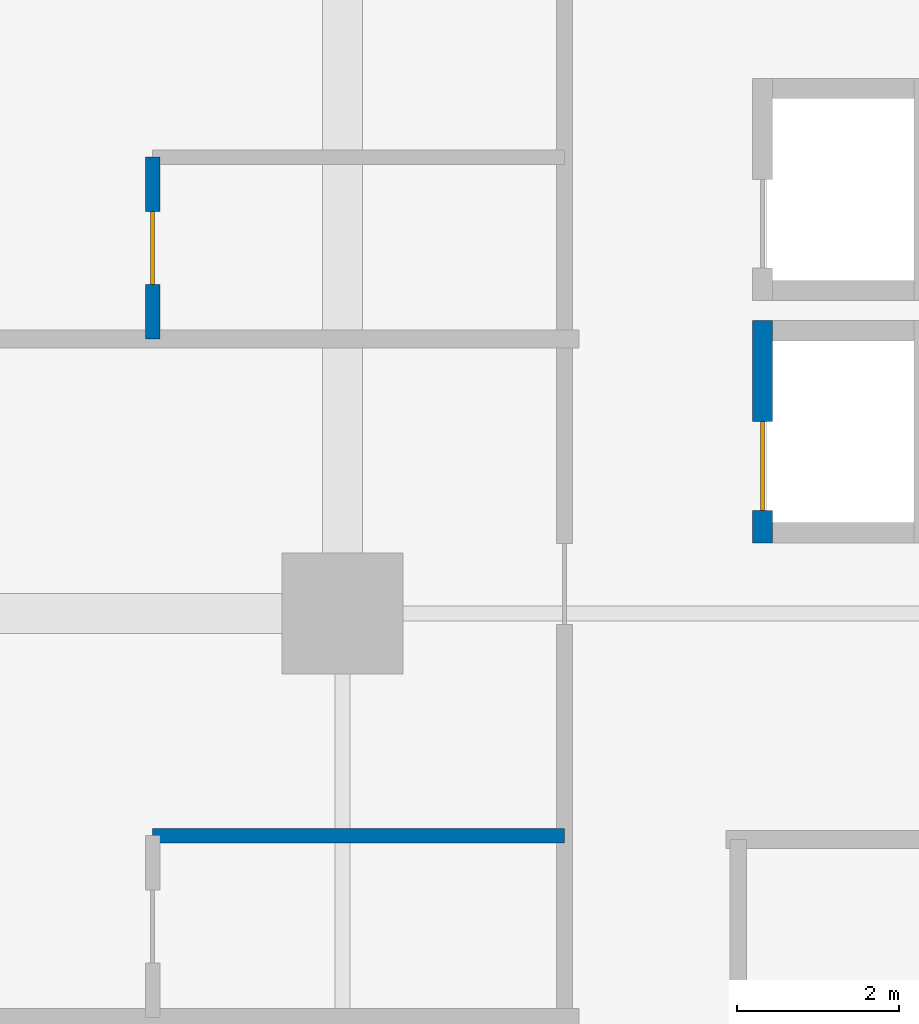
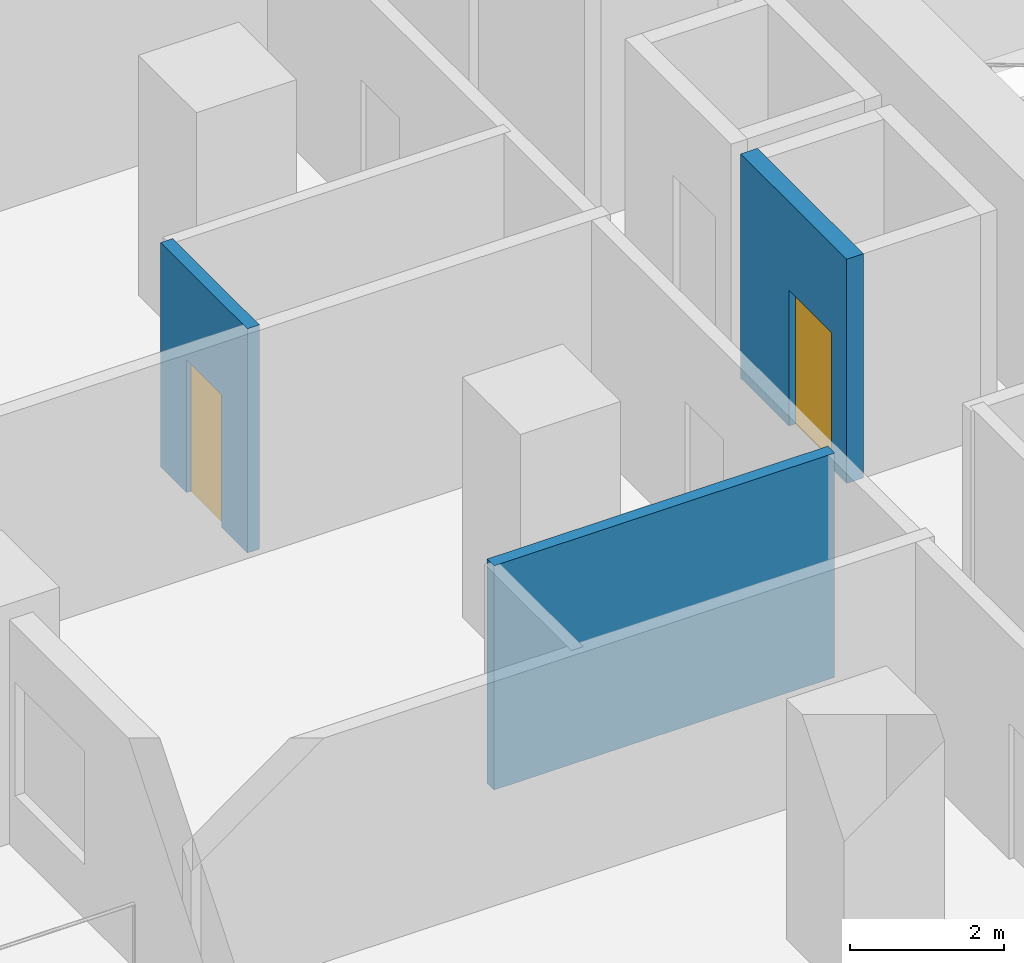
# One storey, part 15 of 26: 3 walls, 2 doors, 2 openings.
"""IFC4 building model written with IfcOpenShell, lengths in metres."""

from ifc_helpers import new_model, si_unit, direction, frame, frame_2d, origin, place, context, subcontext, project, spatial, rectangle, extrude, material, layer, layer_set, type_object, element, fill, save


model = new_model("IFC4")

# Units and contexts
model_context = context("Model", 3, precision=1e-05, world=origin(), true_north=direction((0.0, 1.0)))
body_context = subcontext(model_context, "Body", "Model", "MODEL_VIEW")
ifc_project = project(units=[si_unit("LENGTHUNIT", "METRE"), si_unit("AREAUNIT", "SQUARE_METRE"), si_unit("VOLUMEUNIT", "CUBIC_METRE"), si_unit("PLANEANGLEUNIT", "RADIAN"), si_unit("MASSUNIT", "GRAM", prefix="KILO")], contexts=[model_context])

# Site, building, storey
site_placement = place(None, origin())
site = spatial("IfcSite", under=ifc_project, at=site_placement, CompositionType="ELEMENT")
building_placement = place(site_placement, origin())
building = spatial("IfcBuilding", under=site, at=building_placement, Name="Koriwani Terraces Tower", CompositionType="ELEMENT")
storey_placement = place(building_placement, frame((0.0, 0.0, 39.60009765625)))
storey = spatial("IfcBuildingStorey", under=building, at=storey_placement, Name="L08", CompositionType="ELEMENT", Elevation=39.60009765625)

# Wall
ifc_material_1 = material(Name="Fire-Rated Acoustic Gypsum Partition", Category="masonry")
ifc_layer_1 = layer(ifc_material_1, 0.179931640625, Name="Fire-Rated Acoustic Gypsum Partition")
ifc_layer_set_1 = layer_set([ifc_layer_1], Name="Fire-Rated Acoustic Gypsum Partition")
wall_type_1 = type_object("IfcWallType", Name="WALL_PLUMBING_180", PredefinedType="PLUMBINGWALL", material=ifc_layer_set_1)
wall_1_placement = place(storey_placement, frame((6.050048828125, 39.25, 0.0), z_axis=(0.0, 0.0, 1.0), x_axis=(1.0, 0.0, 0.0)))
element("IfcWall", 1, at=wall_1_placement, inside=storey, type_object=wall_type_1, Name="L08 Interior Wall WBTH2-L08-NW-4", PredefinedType="PLUMBINGWALL", context=body_context, shape_type="SweptSolid", body=[
    extrude(rectangle(XDim=5.099853515625, YDim=0.179931640625, at=frame_2d((2.5498046875, 0.0))), origin(), (0.0, 0.0, 1.0), 3.5498046875),
])

# Wall, opening, door
wall_2_placement = place(storey_placement, frame((6.050048828125, 45.39990234375, 0.0), z_axis=(0.0, 0.0, 1.0), x_axis=(0.0, 1.0, 0.0)))
wall_2 = element("IfcWall", 2, at=wall_2_placement, inside=storey, type_object=wall_type_1, Name="L08 Interior Wall WBTH1-L08-NW-5", PredefinedType="PLUMBINGWALL", context=body_context, shape_type="SweptSolid", body=[
    extrude(rectangle(XDim=2.25, YDim=0.179931640625, at=frame_2d((1.125, 0.0))), origin(), (0.0, 0.0, 1.0), 3.5498046875),
])
opening_1_placement = place(wall_2_placement, frame((0.675048828125, 0.0, 0.0)))
opening_1 = element("IfcOpeningElement", 3, at=opening_1_placement, cuts=wall_2, Name="Opening D-07", PredefinedType="OPENING", context=body_context, shape_type="SweptSolid", body=[
    extrude(rectangle(XDim=0.89990234375, YDim=2.10009765625, at=frame_2d((0.449951171875, 1.050048828125))), frame((0.0, 0.10009765625, 0.0), z_axis=(0.0, -1.0, 0.0), x_axis=(1.0, 0.0, 0.0)), (0.0, 0.0, 1.0), 0.199951171875),
])
ifc_material_2 = material(Name="Architectural Oak Fire Door", Category="wood")
door_type_1 = type_object("IfcDoorType", Name="DOOR_BATH_INT_900X2100", OperationType="NOTDEFINED", PredefinedType="DOOR", material=ifc_material_2)
door_1_placement = place(opening_1_placement, origin())
door_1 = element("IfcDoor", 4, at=door_1_placement, inside=storey, type_object=door_type_1, Name="En-Suite Bathroom 08NW6 Door", OperationType="SINGLE_SWING_LEFT", OverallHeight=2.10009765625, OverallWidth=0.89990234375, PredefinedType="DOOR", context=body_context, shape_type="SweptSolid", body=[
    extrude(rectangle(XDim=0.89990234375, YDim=2.10009765625, at=frame_2d((0.449951171875, 1.050048828125))), frame((0.0, 0.02490234375, 0.0), z_axis=(0.0, -1.0, 0.0), x_axis=(1.0, 0.0, 0.0)), (0.0, 0.0, 1.0), 0.050048828125),
])
fill(opening_1, door_1)

ifc_material_3 = material(Name="Concrete C40/50", Category="concrete")
ifc_layer_2 = layer(ifc_material_3, 0.25, Name="Concrete C40/50")
ifc_layer_set_2 = layer_set([ifc_layer_2], Name="Concrete C40/50")
wall_type_2 = type_object("IfcWallType", Name="WALL_SHAFT_RATED_250", PredefinedType="SOLIDWALL", material=ifc_layer_set_2)
wall_3_placement = place(storey_placement, frame((13.60009765625, 42.875, 0.0), z_axis=(0.0, 0.0, 1.0), x_axis=(0.0, 1.0, 0.0)))
wall_3 = element("IfcWall", 5, at=wall_3_placement, inside=storey, type_object=wall_type_2, Name="L08 Interior Wall WIN-LF-PE-L1-L08-F", PredefinedType="SOLIDWALL", context=body_context, shape_type="SweptSolid", body=[
    extrude(rectangle(XDim=2.75, YDim=0.25, at=frame_2d((1.375, 0.0))), origin(), (0.0, 0.0, 1.0), 3.5498046875),
])
opening_2_placement = place(wall_3_placement, frame((0.39990234375, 0.0, 0.0)))
opening_2 = element("IfcOpeningElement", 6, at=opening_2_placement, cuts=wall_3, Name="Opening LD-01", PredefinedType="OPENING", context=body_context, shape_type="SweptSolid", body=[
    extrude(rectangle(XDim=1.10009765625, YDim=2.14990234375, at=frame_2d((0.550048828125, 1.074951171875))), frame((0.0, 0.135009765625, 0.0), z_axis=(0.0, -1.0, 0.0), x_axis=(1.0, 0.0, 0.0)), (0.0, 0.0, 1.0), 0.27001953125),
])
ifc_material_4 = material(Name="Steel ASTM A572 Grade 50", Category="steel")
door_type_2 = type_object("IfcDoorType", Name="DOOR_LIFT_LANDING_1100X2200", OperationType="NOTDEFINED", PredefinedType="DOOR", material=ifc_material_4)
door_2_placement = place(opening_2_placement, origin())
door_2 = element("IfcDoor", 7, at=door_2_placement, inside=storey, type_object=door_type_2, Name="L08 Passenger Lift PE-L1 Landing Door", OperationType="SLIDING_TO_LEFT", OverallHeight=2.14990234375, OverallWidth=1.10009765625, PredefinedType="DOOR", context=body_context, shape_type="SweptSolid", body=[
    extrude(rectangle(XDim=1.10009765625, YDim=2.14990234375, at=frame_2d((0.550048828125, 1.074951171875))), frame((0.0, 0.02490234375, 0.0), z_axis=(0.0, -1.0, 0.0), x_axis=(1.0, 0.0, 0.0)), (0.0, 0.0, 1.0), 0.050048828125),
])
fill(opening_2, door_2)

save(model, "model.ifc")
